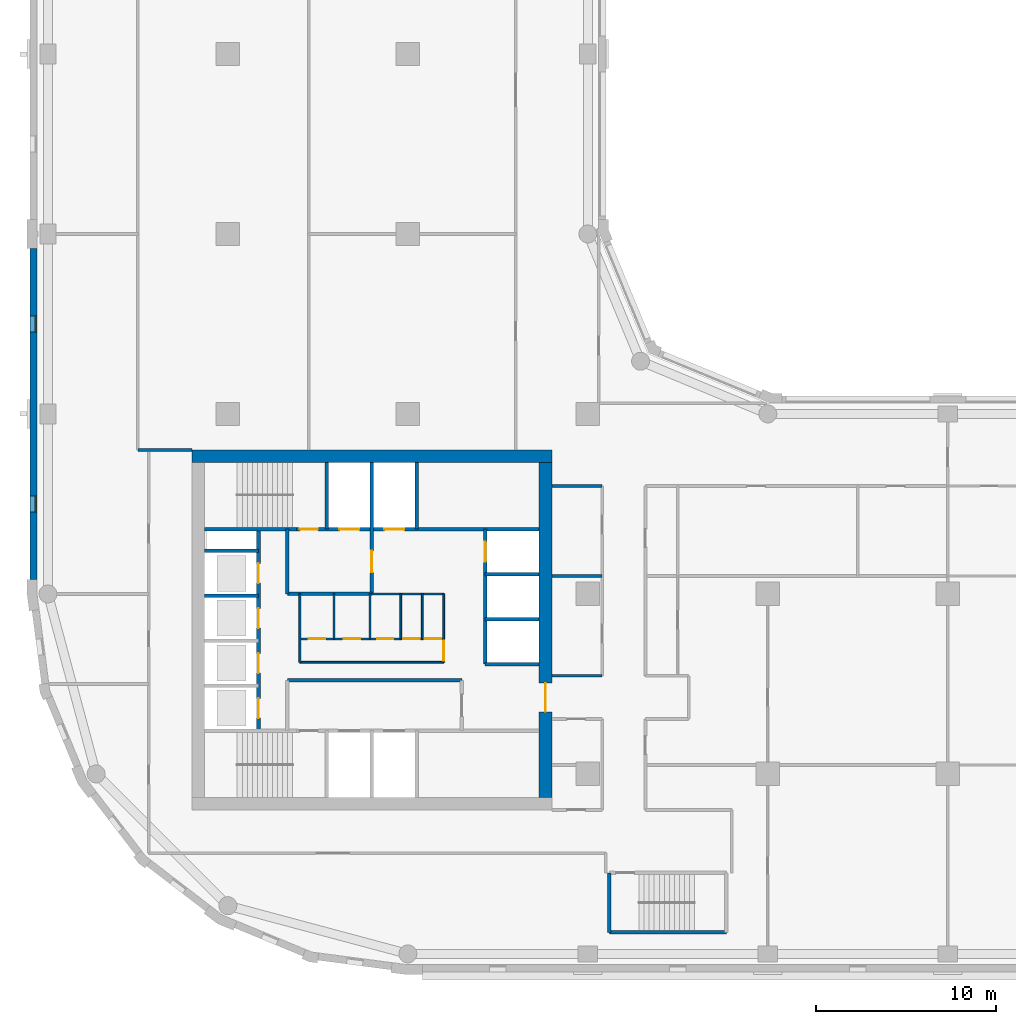
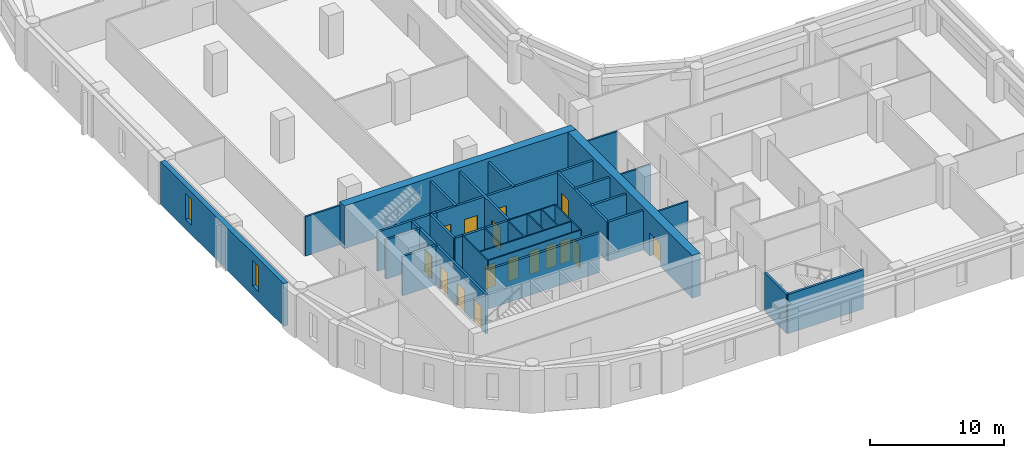
# One storey, part 3 of 10: 33 walls, 16 doors, 2 windows, 18 openings.
"""IFC4 building model written with IfcOpenShell, lengths in metres."""

from ifc_helpers import new_model, si_unit, direction, frame, frame_2d, origin, place, context, subcontext, project, spatial, rectangle, extrude, material, layer, layer_set, type_object, element, fill, save


model = new_model("IFC4")

# Units and contexts
model_context = context("Model", 3, precision=1e-05, world=origin(), true_north=direction((0.0, 1.0)))
body_context = subcontext(model_context, "Body", "Model", "MODEL_VIEW")
ifc_project = project(units=[si_unit("LENGTHUNIT", "METRE"), si_unit("AREAUNIT", "SQUARE_METRE"), si_unit("VOLUMEUNIT", "CUBIC_METRE"), si_unit("PLANEANGLEUNIT", "RADIAN"), si_unit("MASSUNIT", "GRAM", prefix="KILO")], contexts=[model_context])

# Site, building, storey
site_placement = place(None, origin())
site = spatial("IfcSite", under=ifc_project, at=site_placement, CompositionType="ELEMENT")
building_placement = place(site_placement, origin())
building = spatial("IfcBuilding", under=site, at=building_placement, Name="Qaws Garden Tower", CompositionType="ELEMENT")
storey_placement = place(building_placement, frame((0.0, 0.0, 182.39990234375)))
storey = spatial("IfcBuildingStorey", under=building, at=storey_placement, Name="L44", CompositionType="ELEMENT", Elevation=182.39990234375)

# Wall, openings, windows
ifc_material_1 = material(Name="Clay facing brick masonry", Category="masonry")
ifc_layer_1 = layer(ifc_material_1, 0.39990234375)
ifc_layer_set_1 = layer_set([ifc_layer_1], Name="Clay facing brick masonry")
wall_type_1 = type_object("IfcWallType", Name="Brick infill wall 400", PredefinedType="SOLIDWALL", material=ifc_layer_set_1)
wall_1_placement = place(storey_placement, frame((-0.800048828125, 39.199951171875, 0.0), z_axis=(0.0, 0.0, 1.0), x_axis=(0.0, -1.0, 0.0)))
wall_1 = element("IfcWall", 1, at=wall_1_placement, inside=storey, type_object=wall_type_1, Name="E-L44-infill-23", PredefinedType="SOLIDWALL", context=body_context, shape_type="SweptSolid", body=[
    extrude(rectangle(XDim=18.39990234375, YDim=0.39990234375, at=frame_2d((9.199951171875, 0.0))), origin(), (0.0, 0.0, 1.0), 3.900146484375),
])
opening_1_placement = place(wall_1_placement, frame((3.75, 0.0, 0.89990234375)))
opening_1 = element("IfcOpeningElement", 2, at=opening_1_placement, cuts=wall_1, Name="Opening W09", PredefinedType="OPENING", context=body_context, shape_type="SweptSolid", body=[
    extrude(rectangle(XDim=0.89990234375, YDim=2.35009765625, at=frame_2d((0.449951171875, 1.175048828125))), frame((0.0, 0.2099609375, 0.0), z_axis=(0.0, -1.0, 0.0), x_axis=(1.0, 0.0, 0.0)), (0.0, 0.0, 1.0), 0.419921875),
])
opening_2_placement = place(wall_1_placement, frame((13.75, 0.0, 0.89990234375)))
opening_2 = element("IfcOpeningElement", 3, at=opening_2_placement, cuts=wall_1, Name="Opening W09", PredefinedType="OPENING", context=body_context, shape_type="SweptSolid", body=[
    extrude(rectangle(XDim=0.89990234375, YDim=2.35009765625, at=frame_2d((0.449951171875, 1.175048828125))), frame((0.0, 0.2099609375, 0.0), z_axis=(0.0, -1.0, 0.0), x_axis=(1.0, 0.0, 0.0)), (0.0, 0.0, 1.0), 0.419921875),
])
ifc_material_2 = material(Name="Aluminium framed window, clear glazing", Category="aluminium")
window_type = type_object("IfcWindowType", Name="Slit window 900 x 2350", PartitioningType="SINGLE_PANEL", PredefinedType="WINDOW", material=ifc_material_2)
window_1_placement = place(opening_1_placement, origin())
window_1 = element("IfcWindow", 4, at=window_1_placement, inside=storey, type_object=window_type, Name="E-L44-window-23-0", OverallHeight=2.35009765625, OverallWidth=0.89990234375, PartitioningType="SINGLE_PANEL", PredefinedType="WINDOW", context=body_context, shape_type="SweptSolid", body=[
    extrude(rectangle(XDim=0.89990234375, YDim=2.35009765625, at=frame_2d((0.449951171875, 1.175048828125))), frame((0.0, 0.159912109375, 0.0), z_axis=(0.0, -1.0, 0.0), x_axis=(1.0, 0.0, 0.0)), (0.0, 0.0, 1.0), 0.06005859375),
])
fill(opening_1, window_1)
window_2_placement = place(opening_2_placement, origin())
window_2 = element("IfcWindow", 5, at=window_2_placement, inside=storey, type_object=window_type, Name="E-L44-window-24-0", OverallHeight=2.35009765625, OverallWidth=0.89990234375, PartitioningType="SINGLE_PANEL", PredefinedType="WINDOW", context=body_context, shape_type="SweptSolid", body=[
    extrude(rectangle(XDim=0.89990234375, YDim=2.35009765625, at=frame_2d((0.449951171875, 1.175048828125))), frame((0.0, 0.159912109375, 0.0), z_axis=(0.0, -1.0, 0.0), x_axis=(1.0, 0.0, 0.0)), (0.0, 0.0, 1.0), 0.06005859375),
])
fill(opening_2, window_2)

# Wall
ifc_material_3 = material(Name="Plasterboard")
ifc_layer_2 = layer(ifc_material_3, 0.10009765625)
ifc_layer_set_2 = layer_set([ifc_layer_2], Name="Plasterboard")
wall_type_2 = type_object("IfcWallType", Name="Core partition 100", PredefinedType="PARTITIONING", material=ifc_layer_set_2)
wall_2_placement = place(storey_placement, frame((14.0, 16.199951171875, 0.0), z_axis=(0.0, 0.0, 1.0), x_axis=(1.0, 0.0, 0.0)))
element("IfcWall", 6, at=wall_2_placement, inside=storey, type_object=wall_type_2, Name="Core partition", PredefinedType="PARTITIONING", context=body_context, shape_type="SweptSolid", body=[
    extrude(rectangle(XDim=8.0, YDim=0.10009765625, at=frame_2d((4.0, 0.0))), origin(), (0.0, 0.0, 1.0), 3.580078125),
])

# Wall, openings, doors
wall_3_placement = place(storey_placement, frame((14.0, 17.5, 0.0), z_axis=(0.0, 0.0, 1.0), x_axis=(1.0, 0.0, 0.0)))
wall_3 = element("IfcWall", 7, at=wall_3_placement, inside=storey, type_object=wall_type_2, Name="Core partition", PredefinedType="PARTITIONING", context=body_context, shape_type="SweptSolid", body=[
    extrude(rectangle(XDim=8.0, YDim=0.10009765625, at=frame_2d((4.0, 0.0))), origin(), (0.0, 0.0, 1.0), 3.580078125),
])
opening_3_placement = place(wall_3_placement, frame((0.5, 0.0, 0.0)))
opening_3 = element("IfcOpeningElement", 8, at=opening_3_placement, cuts=wall_3, Name="Opening WD18", PredefinedType="OPENING", context=body_context, shape_type="SweptSolid", body=[
    extrude(rectangle(XDim=0.89990234375, YDim=2.10009765625, at=frame_2d((0.449951171875, 1.050048828125))), frame((0.0, 0.06005859375, 0.0), z_axis=(0.0, -1.0, 0.0), x_axis=(1.0, 0.0, 0.0)), (0.0, 0.0, 1.0), 0.1201171875),
])
opening_4_placement = place(wall_3_placement, frame((2.449951171875, 0.0, 0.0)))
opening_4 = element("IfcOpeningElement", 9, at=opening_4_placement, cuts=wall_3, Name="Opening WD19", PredefinedType="OPENING", context=body_context, shape_type="SweptSolid", body=[
    extrude(rectangle(XDim=0.89990234375, YDim=2.10009765625, at=frame_2d((0.449951171875, 1.050048828125))), frame((0.0, 0.06005859375, 0.0), z_axis=(0.0, -1.0, 0.0), x_axis=(1.0, 0.0, 0.0)), (0.0, 0.0, 1.0), 0.1201171875),
])
opening_5_placement = place(wall_3_placement, frame((4.300048828125, 0.0, 0.0)))
opening_5 = element("IfcOpeningElement", 10, at=opening_5_placement, cuts=wall_3, Name="Opening WD20", PredefinedType="OPENING", context=body_context, shape_type="SweptSolid", body=[
    extrude(rectangle(XDim=0.89990234375, YDim=2.10009765625, at=frame_2d((0.449951171875, 1.050048828125))), frame((0.0, 0.06005859375, 0.0), z_axis=(0.0, -1.0, 0.0), x_axis=(1.0, 0.0, 0.0)), (0.0, 0.0, 1.0), 0.1201171875),
])
opening_6_placement = place(wall_3_placement, frame((5.75, 0.0, 0.0)))
opening_6 = element("IfcOpeningElement", 11, at=opening_6_placement, cuts=wall_3, Name="Opening WD21", PredefinedType="OPENING", context=body_context, shape_type="SweptSolid", body=[
    extrude(rectangle(XDim=0.89990234375, YDim=2.10009765625, at=frame_2d((0.449951171875, 1.050048828125))), frame((0.0, 0.06005859375, 0.0), z_axis=(0.0, -1.0, 0.0), x_axis=(1.0, 0.0, 0.0)), (0.0, 0.0, 1.0), 0.1201171875),
])
opening_7_placement = place(wall_3_placement, frame((6.949951171875, 0.0, 0.0)))
opening_7 = element("IfcOpeningElement", 12, at=opening_7_placement, cuts=wall_3, Name="Opening WD22", PredefinedType="OPENING", context=body_context, shape_type="SweptSolid", body=[
    extrude(rectangle(XDim=0.89990234375, YDim=2.10009765625, at=frame_2d((0.449951171875, 1.050048828125))), frame((0.0, 0.06005859375, 0.0), z_axis=(0.0, -1.0, 0.0), x_axis=(1.0, 0.0, 0.0)), (0.0, 0.0, 1.0), 0.1201171875),
])
ifc_material_4 = material(Name="Timber", Category="wood")
door_type_1 = type_object("IfcDoorType", Name="WC door 900x2100", OperationType="SINGLE_SWING_LEFT", PredefinedType="DOOR", material=ifc_material_4)
door_1_placement = place(opening_3_placement, origin())
door_1 = element("IfcDoor", 13, at=door_1_placement, inside=storey, type_object=door_type_1, Name="Men's WC door", OperationType="SINGLE_SWING_RIGHT", OverallHeight=2.10009765625, OverallWidth=0.89990234375, PredefinedType="DOOR", context=body_context, shape_type="SweptSolid", body=[
    extrude(rectangle(XDim=0.89990234375, YDim=2.10009765625, at=frame_2d((0.449951171875, 1.050048828125))), frame((0.0, 0.02490234375, 0.0), z_axis=(0.0, -1.0, 0.0), x_axis=(1.0, 0.0, 0.0)), (0.0, 0.0, 1.0), 0.050048828125),
])
fill(opening_3, door_1)
door_2_placement = place(opening_4_placement, origin())
door_2 = element("IfcDoor", 14, at=door_2_placement, inside=storey, type_object=door_type_1, Name="Women's WC door", OperationType="SINGLE_SWING_RIGHT", OverallHeight=2.10009765625, OverallWidth=0.89990234375, PredefinedType="DOOR", context=body_context, shape_type="SweptSolid", body=[
    extrude(rectangle(XDim=0.89990234375, YDim=2.10009765625, at=frame_2d((0.449951171875, 1.050048828125))), frame((0.0, 0.02490234375, 0.0), z_axis=(0.0, -1.0, 0.0), x_axis=(1.0, 0.0, 0.0)), (0.0, 0.0, 1.0), 0.050048828125),
])
fill(opening_4, door_2)
door_3_placement = place(opening_5_placement, origin())
door_3 = element("IfcDoor", 15, at=door_3_placement, inside=storey, type_object=door_type_1, Name="Accessible WC door", OperationType="SINGLE_SWING_RIGHT", OverallHeight=2.10009765625, OverallWidth=0.89990234375, PredefinedType="DOOR", context=body_context, shape_type="SweptSolid", body=[
    extrude(rectangle(XDim=0.89990234375, YDim=2.10009765625, at=frame_2d((0.449951171875, 1.050048828125))), frame((0.0, 0.02490234375, 0.0), z_axis=(0.0, -1.0, 0.0), x_axis=(1.0, 0.0, 0.0)), (0.0, 0.0, 1.0), 0.050048828125),
])
fill(opening_5, door_3)
door_4_placement = place(opening_6_placement, origin())
door_4 = element("IfcDoor", 16, at=door_4_placement, inside=storey, type_object=door_type_1, Name="Linen store door", OperationType="SINGLE_SWING_RIGHT", OverallHeight=2.10009765625, OverallWidth=0.89990234375, PredefinedType="DOOR", context=body_context, shape_type="SweptSolid", body=[
    extrude(rectangle(XDim=0.89990234375, YDim=2.10009765625, at=frame_2d((0.449951171875, 1.050048828125))), frame((0.0, 0.02490234375, 0.0), z_axis=(0.0, -1.0, 0.0), x_axis=(1.0, 0.0, 0.0)), (0.0, 0.0, 1.0), 0.050048828125),
])
fill(opening_6, door_4)
door_5_placement = place(opening_7_placement, origin())
door_5 = element("IfcDoor", 17, at=door_5_placement, inside=storey, type_object=door_type_1, Name="Cleaner's store door", OperationType="SINGLE_SWING_RIGHT", OverallHeight=2.10009765625, OverallWidth=0.89990234375, PredefinedType="DOOR", context=body_context, shape_type="SweptSolid", body=[
    extrude(rectangle(XDim=0.89990234375, YDim=2.10009765625, at=frame_2d((0.449951171875, 1.050048828125))), frame((0.0, 0.02490234375, 0.0), z_axis=(0.0, -1.0, 0.0), x_axis=(1.0, 0.0, 0.0)), (0.0, 0.0, 1.0), 0.050048828125),
])
fill(opening_7, door_5)

# Walls
wall_4_placement = place(storey_placement, frame((18.0, 20.0, 0.0), z_axis=(0.0, 0.0, 1.0), x_axis=(1.0, 0.0, 0.0)))
element("IfcWall", 18, at=wall_4_placement, inside=storey, type_object=wall_type_2, Name="Core partition", PredefinedType="PARTITIONING", context=body_context, shape_type="SweptSolid", body=[
    extrude(rectangle(XDim=4.0, YDim=0.10009765625, at=frame_2d((2.0, 0.0))), origin(), (0.0, 0.0, 1.0), 3.580078125),
])
wall_5_placement = place(storey_placement, frame((14.0, 16.199951171875, 0.0), z_axis=(0.0, 0.0, 1.0), x_axis=(0.0, 1.0, 0.0)))
element("IfcWall", 19, at=wall_5_placement, inside=storey, type_object=wall_type_2, Name="Core partition", PredefinedType="PARTITIONING", context=body_context, shape_type="SweptSolid", body=[
    extrude(rectangle(XDim=3.800048828125, YDim=0.10009765625, at=frame_2d((1.89990234375, 0.0))), origin(), (0.0, 0.0, 1.0), 3.580078125),
])
for number, where, z_axis, x_axis, name in (
    (20, (15.89990234375, 17.5, 0.0), (0.0, 0.0, 1.0), (0.0, 1.0, 0.0), "Core partition"),
    (21, (17.89990234375, 17.5, 0.0), (0.0, 0.0, 1.0), (0.0, 1.0, 0.0), "Core partition"),
    (22, (19.60009765625, 17.5, 0.0), (0.0, 0.0, 1.0), (0.0, 1.0, 0.0), "Core partition"),
    (23, (20.800048828125, 17.5, 0.0), (0.0, 0.0, 1.0), (0.0, 1.0, 0.0), "Core partition"),
):
    element("IfcWall", number, at=place(storey_placement, frame(where, z_axis=z_axis, x_axis=x_axis)), inside=storey, type_object=wall_type_2, Name=name, PredefinedType="PARTITIONING", context=body_context, shape_type="SweptSolid", body=[
        extrude(rectangle(XDim=2.5, YDim=0.10009765625, at=frame_2d((1.25, 0.0))), origin(), (0.0, 0.0, 1.0), 3.580078125),
    ])

# Wall, opening, door
wall_6_placement = place(storey_placement, frame((22.0, 16.199951171875, 0.0), z_axis=(0.0, 0.0, 1.0), x_axis=(0.0, 1.0, 0.0)))
wall_6 = element("IfcWall", 24, at=wall_6_placement, inside=storey, type_object=wall_type_2, Name="Core partition", PredefinedType="PARTITIONING", context=body_context, shape_type="SweptSolid", body=[
    extrude(rectangle(XDim=3.800048828125, YDim=0.10009765625, at=frame_2d((1.89990234375, 0.0))), origin(), (0.0, 0.0, 1.0), 3.580078125),
])
opening_8_placement = place(wall_6_placement, frame((0.10009765625, 0.0, 0.0)))
opening_8 = element("IfcOpeningElement", 25, at=opening_8_placement, cuts=wall_6, Name="Opening WL17", PredefinedType="OPENING", context=body_context, shape_type="SweptSolid", body=[
    extrude(rectangle(XDim=1.10009765625, YDim=2.10009765625, at=frame_2d((0.550048828125, 1.050048828125))), frame((0.0, 0.06005859375, 0.0), z_axis=(0.0, -1.0, 0.0), x_axis=(1.0, 0.0, 0.0)), (0.0, 0.0, 1.0), 0.1201171875),
])
ifc_material_5 = material(Name="Timber", Category="wood")
door_type_2 = type_object("IfcDoorType", Name="WC lobby door 1100x2100", OperationType="SINGLE_SWING_LEFT", PredefinedType="DOOR", material=ifc_material_5)
door_6_placement = place(opening_8_placement, origin())
door_6 = element("IfcDoor", 26, at=door_6_placement, inside=storey, type_object=door_type_2, Name="WC lobby door", OperationType="SINGLE_SWING_RIGHT", OverallHeight=2.10009765625, OverallWidth=1.10009765625, PredefinedType="DOOR", context=body_context, shape_type="SweptSolid", body=[
    extrude(rectangle(XDim=1.10009765625, YDim=2.10009765625, at=frame_2d((0.550048828125, 1.050048828125))), frame((0.0, 0.02490234375, 0.0), z_axis=(0.0, -1.0, 0.0), x_axis=(1.0, 0.0, 0.0)), (0.0, 0.0, 1.0), 0.050048828125),
])
fill(opening_8, door_6)

# Walls
ifc_material_6 = material(Name="Concrete C70", Category="concrete")
ifc_layer_3 = layer(ifc_material_6, 0.199951171875)
ifc_layer_set_3 = layer_set([ifc_layer_3], Name="Concrete C70")
wall_type_3 = type_object("IfcWallType", Name="Core shaft wall 200 C70", PredefinedType="SHEAR", material=ifc_layer_set_3)
wall_7_placement = place(storey_placement, frame((31.199951171875, 1.199951171875, 0.0), z_axis=(0.0, 0.0, 1.0), x_axis=(1.0, 0.0, 0.0)))
element("IfcWall", 27, at=wall_7_placement, inside=storey, type_object=wall_type_3, Name="Shaft wall", PredefinedType="SHEAR", context=body_context, shape_type="SweptSolid", body=[
    extrude(rectangle(XDim=6.5, YDim=0.199951171875, at=frame_2d((3.25, 0.0))), origin(), (0.0, 0.0, 1.0), 3.580078125),
])
wall_8_placement = place(storey_placement, frame((13.300048828125, 15.199951171875, 0.0), z_axis=(0.0, 0.0, 1.0), x_axis=(1.0, 0.0, 0.0)))
element("IfcWall", 28, at=wall_8_placement, inside=storey, type_object=wall_type_3, Name="Shaft wall", PredefinedType="SHEAR", context=body_context, shape_type="SweptSolid", body=[
    extrude(rectangle(XDim=9.699951171875, YDim=0.199951171875, at=frame_2d((4.85009765625, 0.0))), origin(), (0.0, 0.0, 1.0), 3.580078125),
])
for number, where, z_axis, x_axis, name in (
    (29, (24.300048828125, 16.10009765625, 0.0), (0.0, 0.0, 1.0), (1.0, 0.0, 0.0), "Shaft wall"),
    (30, (24.300048828125, 18.60009765625, 0.0), (0.0, 0.0, 1.0), (1.0, 0.0, 0.0), "Shaft wall"),
    (31, (8.699951171875, 19.89990234375, 0.0), (0.0, 0.0, 1.0), (1.0, 0.0, 0.0), "Shaft wall"),
):
    element("IfcWall", number, at=place(storey_placement, frame(where, z_axis=z_axis, x_axis=x_axis)), inside=storey, type_object=wall_type_3, Name=name, PredefinedType="SHEAR", context=body_context, shape_type="SweptSolid", body=[
        extrude(rectangle(XDim=3.0, YDim=0.199951171875, at=frame_2d((1.5, 0.0))), origin(), (0.0, 0.0, 1.0), 3.580078125),
    ])
wall_9_placement = place(storey_placement, frame((13.300048828125, 20.0, 0.0), z_axis=(0.0, 0.0, 1.0), x_axis=(1.0, 0.0, 0.0)))
element("IfcWall", 32, at=wall_9_placement, inside=storey, type_object=wall_type_3, Name="Shaft wall", PredefinedType="SHEAR", context=body_context, shape_type="SweptSolid", body=[
    extrude(rectangle(XDim=4.699951171875, YDim=0.199951171875, at=frame_2d((2.35009765625, 0.0))), origin(), (0.0, 0.0, 1.0), 3.580078125),
])
for number, where, z_axis, x_axis, name in (
    (33, (24.300048828125, 21.10009765625, 0.0), (0.0, 0.0, 1.0), (1.0, 0.0, 0.0), "Shaft wall"),
    (34, (8.699951171875, 22.39990234375, 0.0), (0.0, 0.0, 1.0), (1.0, 0.0, 0.0), "Shaft wall"),
):
    element("IfcWall", number, at=place(storey_placement, frame(where, z_axis=z_axis, x_axis=x_axis)), inside=storey, type_object=wall_type_3, Name=name, PredefinedType="SHEAR", context=body_context, shape_type="SweptSolid", body=[
        extrude(rectangle(XDim=3.0, YDim=0.199951171875, at=frame_2d((1.5, 0.0))), origin(), (0.0, 0.0, 1.0), 3.580078125),
    ])
wall_10_placement = place(storey_placement, frame((8.699951171875, 23.60009765625, 0.0), z_axis=(0.0, 0.0, 1.0), x_axis=(1.0, 0.0, 0.0)))
element("IfcWall", 35, at=wall_10_placement, inside=storey, type_object=wall_type_3, Name="Shaft wall", PredefinedType="SHEAR", context=body_context, shape_type="SweptSolid", body=[
    extrude(rectangle(XDim=5.10009765625, YDim=0.199951171875, at=frame_2d((2.550048828125, 0.0))), origin(), (0.0, 0.0, 1.0), 3.580078125),
])

# Wall, openings, doors
wall_11_placement = place(storey_placement, frame((13.800048828125, 23.60009765625, 0.0), z_axis=(0.0, 0.0, 1.0), x_axis=(1.0, 0.0, 0.0)))
wall_11 = element("IfcWall", 36, at=wall_11_placement, inside=storey, type_object=wall_type_3, Name="Shaft wall", PredefinedType="SHEAR", context=body_context, shape_type="SweptSolid", body=[
    extrude(rectangle(XDim=13.5, YDim=0.199951171875, at=frame_2d((6.75, 0.0))), origin(), (0.0, 0.0, 1.0), 3.580078125),
])
opening_9_placement = place(wall_11_placement, frame((2.39990234375, 0.0, 0.0)))
opening_9 = element("IfcOpeningElement", 37, at=opening_9_placement, cuts=wall_11, Name="Opening LD08", PredefinedType="OPENING", context=body_context, shape_type="SweptSolid", body=[
    extrude(rectangle(XDim=1.10009765625, YDim=2.10009765625, at=frame_2d((0.550048828125, 1.050048828125))), frame((0.0, 0.10986328125, 0.0), z_axis=(0.0, -1.0, 0.0), x_axis=(1.0, 0.0, 0.0)), (0.0, 0.0, 1.0), 0.219970703125),
])
opening_10_placement = place(wall_11_placement, frame((4.89990234375, 0.0, 0.0)))
opening_10 = element("IfcOpeningElement", 38, at=opening_10_placement, cuts=wall_11, Name="Opening LD09", PredefinedType="OPENING", context=body_context, shape_type="SweptSolid", body=[
    extrude(rectangle(XDim=1.10009765625, YDim=2.10009765625, at=frame_2d((0.550048828125, 1.050048828125))), frame((0.0, 0.10986328125, 0.0), z_axis=(0.0, -1.0, 0.0), x_axis=(1.0, 0.0, 0.0)), (0.0, 0.0, 1.0), 0.219970703125),
])
opening_11_placement = place(wall_11_placement, frame((0.199951171875, 0.0, 0.0)))
opening_11 = element("IfcOpeningElement", 39, at=opening_11_placement, cuts=wall_11, Name="Opening SD11", PredefinedType="OPENING", context=body_context, shape_type="SweptSolid", body=[
    extrude(rectangle(XDim=1.0, YDim=2.10009765625, at=frame_2d((0.5, 1.050048828125))), frame((0.0, 0.10986328125, 0.0), z_axis=(0.0, -1.0, 0.0), x_axis=(1.0, 0.0, 0.0)), (0.0, 0.0, 1.0), 0.219970703125),
])
ifc_material_7 = material(Name="Steel S235", Category="steel")
door_type_3 = type_object("IfcDoorType", Name="Landing door 1100x2100", OperationType="DOUBLE_DOOR_SLIDING", PredefinedType="DOOR", material=ifc_material_7)
door_7_placement = place(opening_9_placement, origin())
door_7 = element("IfcDoor", 40, at=door_7_placement, inside=storey, type_object=door_type_3, Name="Lift FF3 landing door", OperationType="DOUBLE_DOOR_SLIDING", OverallHeight=2.10009765625, OverallWidth=1.10009765625, PredefinedType="DOOR", context=body_context, shape_type="SweptSolid", body=[
    extrude(rectangle(XDim=1.10009765625, YDim=2.10009765625, at=frame_2d((0.550048828125, 1.050048828125))), frame((0.0, 0.02490234375, 0.0), z_axis=(0.0, -1.0, 0.0), x_axis=(1.0, 0.0, 0.0)), (0.0, 0.0, 1.0), 0.050048828125),
])
fill(opening_9, door_7)
door_8_placement = place(opening_10_placement, origin())
door_8 = element("IfcDoor", 41, at=door_8_placement, inside=storey, type_object=door_type_3, Name="Lift SV2 landing door", OperationType="DOUBLE_DOOR_SLIDING", OverallHeight=2.10009765625, OverallWidth=1.10009765625, PredefinedType="DOOR", context=body_context, shape_type="SweptSolid", body=[
    extrude(rectangle(XDim=1.10009765625, YDim=2.10009765625, at=frame_2d((0.550048828125, 1.050048828125))), frame((0.0, 0.02490234375, 0.0), z_axis=(0.0, -1.0, 0.0), x_axis=(1.0, 0.0, 0.0)), (0.0, 0.0, 1.0), 0.050048828125),
])
fill(opening_10, door_8)
ifc_material_8 = material(Name="Steel S235", Category="steel")
door_type_4 = type_object("IfcDoorType", Name="Stair door 1000x2100", OperationType="SINGLE_SWING_RIGHT", PredefinedType="DOOR", material=ifc_material_8)
door_9_placement = place(opening_11_placement, origin())
door_9 = element("IfcDoor", 42, at=door_9_placement, inside=storey, type_object=door_type_4, Name="Stair 4 door", OperationType="SINGLE_SWING_RIGHT", OverallHeight=2.10009765625, OverallWidth=1.0, PredefinedType="DOOR", context=body_context, shape_type="SweptSolid", body=[
    extrude(rectangle(XDim=1.0, YDim=2.10009765625, at=frame_2d((0.5, 1.050048828125))), frame((0.0, 0.02490234375, 0.0), z_axis=(0.0, -1.0, 0.0), x_axis=(1.0, 0.0, 0.0)), (0.0, 0.0, 1.0), 0.050048828125),
])
fill(opening_11, door_9)

wall_12_placement = place(storey_placement, frame((11.699951171875, 12.39990234375, 0.0), z_axis=(0.0, 0.0, 1.0), x_axis=(0.0, 1.0, 0.0)))
wall_12 = element("IfcWall", 43, at=wall_12_placement, inside=storey, type_object=wall_type_3, Name="Shaft wall", PredefinedType="SHEAR", context=body_context, shape_type="SweptSolid", body=[
    extrude(rectangle(XDim=11.2001953125, YDim=0.199951171875, at=frame_2d((5.60009765625, 0.0))), origin(), (0.0, 0.0, 1.0), 3.580078125),
])
opening_12_placement = place(wall_12_placement, frame((0.699951171875, 0.0, 0.0)))
opening_12 = element("IfcOpeningElement", 44, at=opening_12_placement, cuts=wall_12, Name="Opening LD01", PredefinedType="OPENING", context=body_context, shape_type="SweptSolid", body=[
    extrude(rectangle(XDim=1.10009765625, YDim=2.10009765625, at=frame_2d((0.550048828125, 1.050048828125))), frame((0.0, 0.10986328125, 0.0), z_axis=(0.0, -1.0, 0.0), x_axis=(1.0, 0.0, 0.0)), (0.0, 0.0, 1.0), 0.219970703125),
])
opening_13_placement = place(wall_12_placement, frame((3.199951171875, 0.0, 0.0)))
opening_13 = element("IfcOpeningElement", 45, at=opening_13_placement, cuts=wall_12, Name="Opening LD02", PredefinedType="OPENING", context=body_context, shape_type="SweptSolid", body=[
    extrude(rectangle(XDim=1.10009765625, YDim=2.10009765625, at=frame_2d((0.550048828125, 1.050048828125))), frame((0.0, 0.10986328125, 0.0), z_axis=(0.0, -1.0, 0.0), x_axis=(1.0, 0.0, 0.0)), (0.0, 0.0, 1.0), 0.219970703125),
])
opening_14_placement = place(wall_12_placement, frame((5.699951171875, 0.0, 0.0)))
opening_14 = element("IfcOpeningElement", 46, at=opening_14_placement, cuts=wall_12, Name="Opening LD03", PredefinedType="OPENING", context=body_context, shape_type="SweptSolid", body=[
    extrude(rectangle(XDim=1.10009765625, YDim=2.10009765625, at=frame_2d((0.550048828125, 1.050048828125))), frame((0.0, 0.10986328125, 0.0), z_axis=(0.0, -1.0, 0.0), x_axis=(1.0, 0.0, 0.0)), (0.0, 0.0, 1.0), 0.219970703125),
])
opening_15_placement = place(wall_12_placement, frame((8.199951171875, 0.0, 0.0)))
opening_15 = element("IfcOpeningElement", 47, at=opening_15_placement, cuts=wall_12, Name="Opening LD04", PredefinedType="OPENING", context=body_context, shape_type="SweptSolid", body=[
    extrude(rectangle(XDim=1.10009765625, YDim=2.10009765625, at=frame_2d((0.550048828125, 1.050048828125))), frame((0.0, 0.10986328125, 0.0), z_axis=(0.0, -1.0, 0.0), x_axis=(1.0, 0.0, 0.0)), (0.0, 0.0, 1.0), 0.219970703125),
])
door_10_placement = place(opening_12_placement, origin())
door_10 = element("IfcDoor", 48, at=door_10_placement, inside=storey, type_object=door_type_3, Name="Lift W1 landing door", OperationType="DOUBLE_DOOR_SLIDING", OverallHeight=2.10009765625, OverallWidth=1.10009765625, PredefinedType="DOOR", context=body_context, shape_type="SweptSolid", body=[
    extrude(rectangle(XDim=1.10009765625, YDim=2.10009765625, at=frame_2d((0.550048828125, 1.050048828125))), frame((0.0, 0.02490234375, 0.0), z_axis=(0.0, -1.0, 0.0), x_axis=(1.0, 0.0, 0.0)), (0.0, 0.0, 1.0), 0.050048828125),
])
fill(opening_12, door_10)
door_11_placement = place(opening_13_placement, origin())
door_11 = element("IfcDoor", 49, at=door_11_placement, inside=storey, type_object=door_type_3, Name="Lift W2 landing door", OperationType="DOUBLE_DOOR_SLIDING", OverallHeight=2.10009765625, OverallWidth=1.10009765625, PredefinedType="DOOR", context=body_context, shape_type="SweptSolid", body=[
    extrude(rectangle(XDim=1.10009765625, YDim=2.10009765625, at=frame_2d((0.550048828125, 1.050048828125))), frame((0.0, 0.02490234375, 0.0), z_axis=(0.0, -1.0, 0.0), x_axis=(1.0, 0.0, 0.0)), (0.0, 0.0, 1.0), 0.050048828125),
])
fill(opening_13, door_11)
door_12_placement = place(opening_14_placement, origin())
door_12 = element("IfcDoor", 50, at=door_12_placement, inside=storey, type_object=door_type_3, Name="Lift W3 landing door", OperationType="DOUBLE_DOOR_SLIDING", OverallHeight=2.10009765625, OverallWidth=1.10009765625, PredefinedType="DOOR", context=body_context, shape_type="SweptSolid", body=[
    extrude(rectangle(XDim=1.10009765625, YDim=2.10009765625, at=frame_2d((0.550048828125, 1.050048828125))), frame((0.0, 0.02490234375, 0.0), z_axis=(0.0, -1.0, 0.0), x_axis=(1.0, 0.0, 0.0)), (0.0, 0.0, 1.0), 0.050048828125),
])
fill(opening_14, door_12)
door_13_placement = place(opening_15_placement, origin())
door_13 = element("IfcDoor", 51, at=door_13_placement, inside=storey, type_object=door_type_3, Name="Lift W4 landing door", OperationType="DOUBLE_DOOR_SLIDING", OverallHeight=2.10009765625, OverallWidth=1.10009765625, PredefinedType="DOOR", context=body_context, shape_type="SweptSolid", body=[
    extrude(rectangle(XDim=1.10009765625, YDim=2.10009765625, at=frame_2d((0.550048828125, 1.050048828125))), frame((0.0, 0.02490234375, 0.0), z_axis=(0.0, -1.0, 0.0), x_axis=(1.0, 0.0, 0.0)), (0.0, 0.0, 1.0), 0.050048828125),
])
fill(opening_15, door_13)

# Walls
wall_13_placement = place(storey_placement, frame((13.300048828125, 20.0, 0.0), z_axis=(0.0, 0.0, 1.0), x_axis=(0.0, 1.0, 0.0)))
element("IfcWall", 52, at=wall_13_placement, inside=storey, type_object=wall_type_3, Name="Shaft wall", PredefinedType="SHEAR", context=body_context, shape_type="SweptSolid", body=[
    extrude(rectangle(XDim=3.60009765625, YDim=0.199951171875, at=frame_2d((1.800048828125, 0.0))), origin(), (0.0, 0.0, 1.0), 3.580078125),
])
wall_14_placement = place(storey_placement, frame((15.5, 23.60009765625, 0.0), z_axis=(0.0, 0.0, 1.0), x_axis=(0.0, 1.0, 0.0)))
element("IfcWall", 53, at=wall_14_placement, inside=storey, type_object=wall_type_3, Name="Shaft wall", PredefinedType="SHEAR", context=body_context, shape_type="SweptSolid", body=[
    extrude(rectangle(XDim=3.699951171875, YDim=0.199951171875, at=frame_2d((1.85009765625, 0.0))), origin(), (0.0, 0.0, 1.0), 3.580078125),
])

# Wall, opening, door
wall_15_placement = place(storey_placement, frame((18.0, 20.0, 0.0), z_axis=(0.0, 0.0, 1.0), x_axis=(0.0, 1.0, 0.0)))
wall_15 = element("IfcWall", 54, at=wall_15_placement, inside=storey, type_object=wall_type_3, Name="Shaft wall", PredefinedType="SHEAR", context=body_context, shape_type="SweptSolid", body=[
    extrude(rectangle(XDim=7.300048828125, YDim=0.199951171875, at=frame_2d((3.64990234375, 0.0))), origin(), (0.0, 0.0, 1.0), 3.580078125),
])
opening_16_placement = place(wall_15_placement, frame((1.199951171875, 0.0, 0.0)))
opening_16 = element("IfcOpeningElement", 55, at=opening_16_placement, cuts=wall_15, Name="Opening FD16", PredefinedType="OPENING", context=body_context, shape_type="SweptSolid", body=[
    extrude(rectangle(XDim=1.199951171875, YDim=2.10009765625, at=frame_2d((0.60009765625, 1.050048828125))), frame((0.0, 0.10986328125, 0.0), z_axis=(0.0, -1.0, 0.0), x_axis=(1.0, 0.0, 0.0)), (0.0, 0.0, 1.0), 0.219970703125),
])
ifc_material_9 = material(Name="Steel S235", Category="steel")
door_type_5 = type_object("IfcDoorType", Name="Lobby door 1200x2100", OperationType="DOUBLE_DOOR_SINGLE_SWING", PredefinedType="DOOR", material=ifc_material_9)
door_14_placement = place(opening_16_placement, origin())
door_14 = element("IfcDoor", 56, at=door_14_placement, inside=storey, type_object=door_type_5, Name="Fire-fighting lobby door", OperationType="DOUBLE_DOOR_SINGLE_SWING", OverallHeight=2.10009765625, OverallWidth=1.199951171875, PredefinedType="DOOR", context=body_context, shape_type="SweptSolid", body=[
    extrude(rectangle(XDim=1.199951171875, YDim=2.10009765625, at=frame_2d((0.60009765625, 1.050048828125))), frame((0.0, 0.02490234375, 0.0), z_axis=(0.0, -1.0, 0.0), x_axis=(1.0, 0.0, 0.0)), (0.0, 0.0, 1.0), 0.050048828125),
])
fill(opening_16, door_14)

# Wall
wall_16_placement = place(storey_placement, frame((20.5, 23.60009765625, 0.0), z_axis=(0.0, 0.0, 1.0), x_axis=(0.0, 1.0, 0.0)))
element("IfcWall", 57, at=wall_16_placement, inside=storey, type_object=wall_type_3, Name="Shaft wall", PredefinedType="SHEAR", context=body_context, shape_type="SweptSolid", body=[
    extrude(rectangle(XDim=3.699951171875, YDim=0.199951171875, at=frame_2d((1.85009765625, 0.0))), origin(), (0.0, 0.0, 1.0), 3.580078125),
])

# Wall, opening, door
wall_17_placement = place(storey_placement, frame((24.300048828125, 16.10009765625, 0.0), z_axis=(0.0, 0.0, 1.0), x_axis=(0.0, 1.0, 0.0)))
wall_17 = element("IfcWall", 58, at=wall_17_placement, inside=storey, type_object=wall_type_3, Name="Shaft wall", PredefinedType="SHEAR", context=body_context, shape_type="SweptSolid", body=[
    extrude(rectangle(XDim=7.5, YDim=0.199951171875, at=frame_2d((3.75, 0.0))), origin(), (0.0, 0.0, 1.0), 3.580078125),
])
opening_17_placement = place(wall_17_placement, frame((5.699951171875, 0.0, 0.0)))
opening_17 = element("IfcOpeningElement", 59, at=opening_17_placement, cuts=wall_17, Name="Opening LD05", PredefinedType="OPENING", context=body_context, shape_type="SweptSolid", body=[
    extrude(rectangle(XDim=1.10009765625, YDim=2.10009765625, at=frame_2d((0.550048828125, 1.050048828125))), frame((0.0, 0.10986328125, 0.0), z_axis=(0.0, -1.0, 0.0), x_axis=(1.0, 0.0, 0.0)), (0.0, 0.0, 1.0), 0.219970703125),
])
door_15_placement = place(opening_17_placement, origin())
door_15 = element("IfcDoor", 60, at=door_15_placement, inside=storey, type_object=door_type_3, Name="Lift E3 landing door", OperationType="DOUBLE_DOOR_SLIDING", OverallHeight=2.10009765625, OverallWidth=1.10009765625, PredefinedType="DOOR", context=body_context, shape_type="SweptSolid", body=[
    extrude(rectangle(XDim=1.10009765625, YDim=2.10009765625, at=frame_2d((0.550048828125, 1.050048828125))), frame((0.0, 0.02490234375, 0.0), z_axis=(0.0, -1.0, 0.0), x_axis=(1.0, 0.0, 0.0)), (0.0, 0.0, 1.0), 0.050048828125),
])
fill(opening_17, door_15)

# Wall
wall_18_placement = place(storey_placement, frame((31.199951171875, 1.199951171875, 0.0), z_axis=(0.0, 0.0, 1.0), x_axis=(0.0, 1.0, 0.0)))
element("IfcWall", 61, at=wall_18_placement, inside=storey, type_object=wall_type_3, Name="Shaft wall", PredefinedType="SHEAR", context=body_context, shape_type="SweptSolid", body=[
    extrude(rectangle(XDim=3.300048828125, YDim=0.199951171875, at=frame_2d((1.64990234375, 0.0))), origin(), (0.0, 0.0, 1.0), 3.580078125),
])

# Wall, opening, door
ifc_material_10 = material(Name="Concrete C70", Category="concrete")
ifc_layer_4 = layer(ifc_material_10, 0.699951171875)
ifc_layer_set_4 = layer_set([ifc_layer_4], Name="Concrete C70")
wall_type_4 = type_object("IfcWallType", Name="Core wall 700 C70", PredefinedType="SHEAR", material=ifc_layer_set_4)
wall_19_placement = place(storey_placement, frame((27.64990234375, 8.699951171875, 0.0), z_axis=(0.0, 0.0, 1.0), x_axis=(0.0, 1.0, 0.0)))
wall_19 = element("IfcWall", 62, at=wall_19_placement, inside=storey, type_object=wall_type_4, Name="Core wall L44 east", PredefinedType="SHEAR", context=body_context, shape_type="SweptSolid", body=[
    extrude(rectangle(XDim=18.60009765625, YDim=0.699951171875, at=frame_2d((9.300048828125, 0.0))), origin(), (0.0, 0.0, 1.0), 3.900146484375),
])
opening_18_placement = place(wall_19_placement, frame((4.75, 0.0, 0.0)))
opening_18 = element("IfcOpeningElement", 63, at=opening_18_placement, cuts=wall_19, Name="Opening ED23", PredefinedType="OPENING", context=body_context, shape_type="SweptSolid", body=[
    extrude(rectangle(XDim=1.60009765625, YDim=2.10009765625, at=frame_2d((0.800048828125, 1.050048828125))), frame((0.0, 0.35986328125, 0.0), z_axis=(0.0, -1.0, 0.0), x_axis=(1.0, 0.0, 0.0)), (0.0, 0.0, 1.0), 0.719970703125),
])
ifc_material_11 = material(Name="Steel S235", Category="steel")
door_type_6 = type_object("IfcDoorType", Name="Core entrance door 1600x2100", OperationType="DOUBLE_DOOR_SINGLE_SWING", PredefinedType="DOOR", material=ifc_material_11)
door_16_placement = place(opening_18_placement, origin())
door_16 = element("IfcDoor", 64, at=door_16_placement, inside=storey, type_object=door_type_6, Name="Core entrance door", OperationType="DOUBLE_DOOR_SINGLE_SWING", OverallHeight=2.10009765625, OverallWidth=1.60009765625, PredefinedType="DOOR", context=body_context, shape_type="SweptSolid", body=[
    extrude(rectangle(XDim=1.60009765625, YDim=2.10009765625, at=frame_2d((0.800048828125, 1.050048828125))), frame((0.0, 0.02490234375, 0.0), z_axis=(0.0, -1.0, 0.0), x_axis=(1.0, 0.0, 0.0)), (0.0, 0.0, 1.0), 0.050048828125),
])
fill(opening_18, door_16)

# Walls
wall_20_placement = place(storey_placement, frame((28.0, 27.64990234375, 0.0), z_axis=(0.0, 0.0, 1.0), x_axis=(-1.0, 0.0, 0.0)))
element("IfcWall", 65, at=wall_20_placement, inside=storey, type_object=wall_type_4, Name="Core wall L44 north", PredefinedType="SHEAR", context=body_context, shape_type="SweptSolid", body=[
    extrude(rectangle(XDim=20.0, YDim=0.699951171875, at=frame_2d((10.0, 0.0))), origin(), (0.0, 0.0, 1.0), 3.900146484375),
])
ifc_material_12 = material(Name="Gypsum board partition")
ifc_layer_5 = layer(ifc_material_12, 0.14990234375)
ifc_layer_set_5 = layer_set([ifc_layer_5], Name="Gypsum board partition")
wall_type_5 = type_object("IfcWallType", Name="PARTITION 150 EI 60", PredefinedType="PARTITIONING", material=ifc_layer_set_5)
for number, where, z_axis, x_axis, name in (
    (66, (28.0, 15.449951171875, 0.0), (0.0, 0.0, 1.0), (1.0, 0.0, 0.0), "O-L44-wall-037"),
    (67, (28.0, 21.0, 0.0), (0.0, 0.0, 1.0), (1.0, 0.0, 0.0), "O-L44-wall-040"),
    (68, (28.0, 26.0, 0.0), (0.0, 0.0, 1.0), (1.0, 0.0, 0.0), "O-L44-wall-042"),
):
    element("IfcWall", number, at=place(storey_placement, frame(where, z_axis=z_axis, x_axis=x_axis)), inside=storey, type_object=wall_type_5, Name=name, PredefinedType="PARTITIONING", context=body_context, shape_type="SweptSolid", body=[
        extrude(rectangle(XDim=2.800048828125, YDim=0.14990234375, at=frame_2d((1.39990234375, 0.0))), origin(), (0.0, 0.0, 1.0), 3.580078125),
    ])
wall_21_placement = place(storey_placement, frame((5.0, 28.0, 0.0), z_axis=(0.0, 0.0, 1.0), x_axis=(1.0, 0.0, 0.0)))
element("IfcWall", 69, at=wall_21_placement, inside=storey, type_object=wall_type_5, Name="O-L44-wall-044", PredefinedType="PARTITIONING", context=body_context, shape_type="SweptSolid", body=[
    extrude(rectangle(XDim=3.0, YDim=0.14990234375, at=frame_2d((1.5, 0.0))), origin(), (0.0, 0.0, 1.0), 3.580078125),
])

save(model, "model.ifc")
